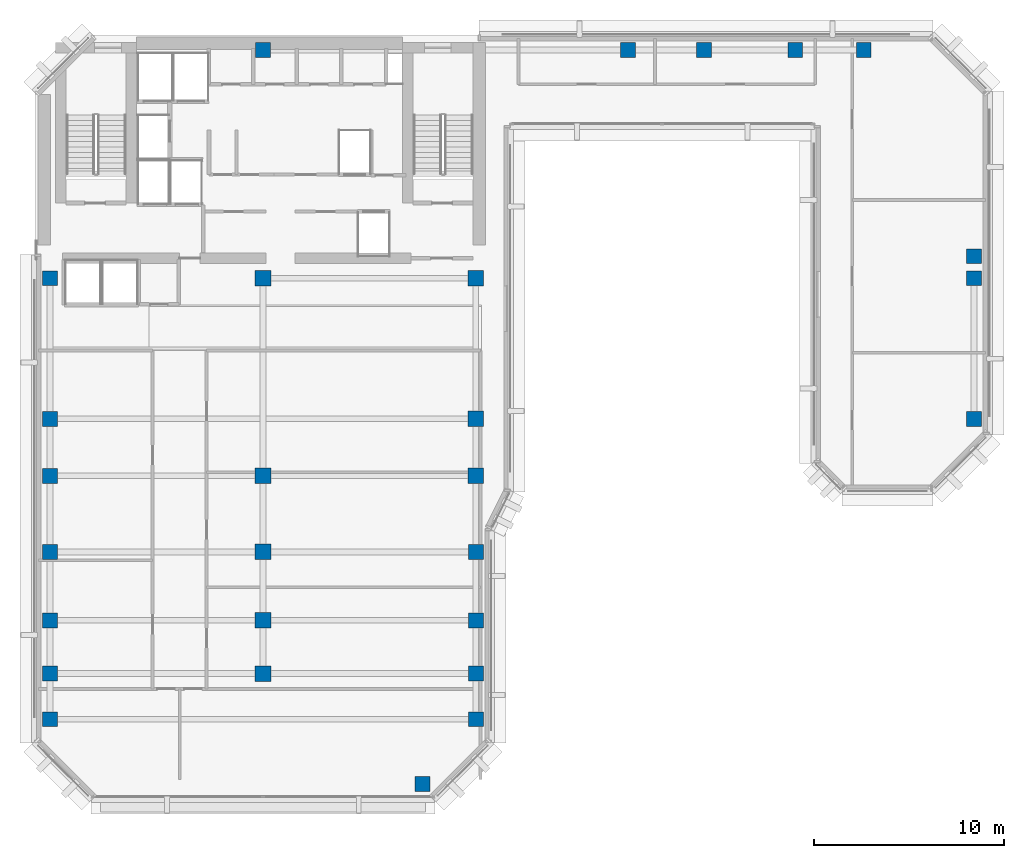
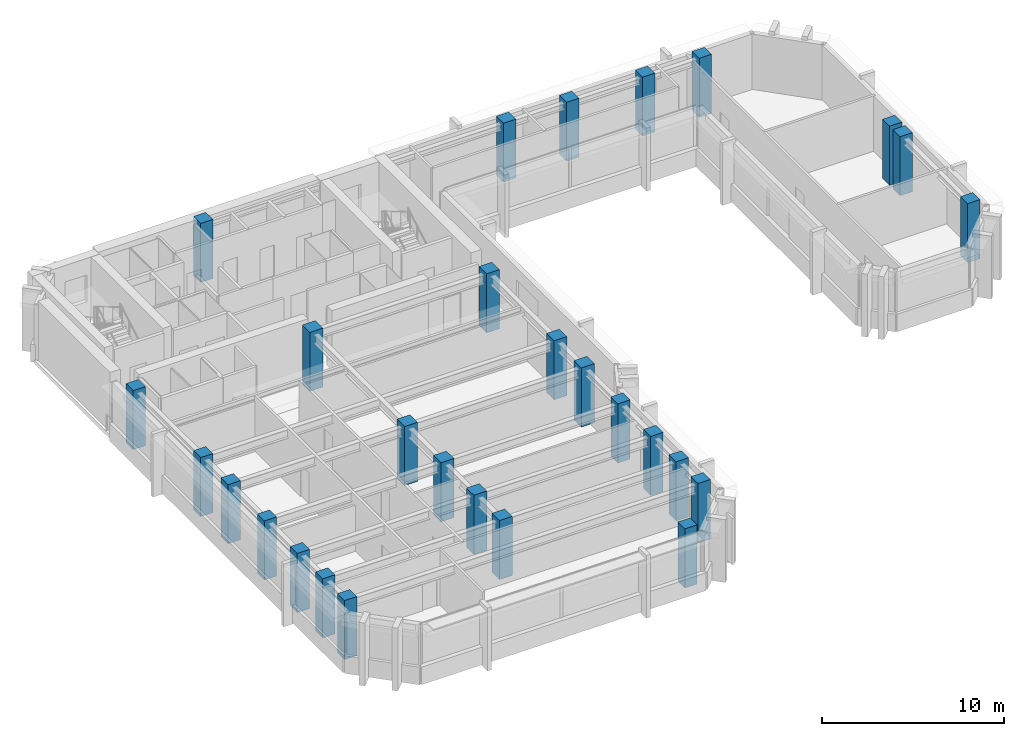
# One storey, part 1 of 11: 28 columns.
"""IFC4 building model written with IfcOpenShell, lengths in metres."""

from ifc_helpers import new_model, si_unit, direction, frame, origin, origin_2d, place, context, subcontext, project, spatial, rectangle, extrude, material, material_profile, profile_set, type_object, element, save


model = new_model("IFC4")

# Units and contexts
model_context = context("Model", 3, precision=1e-05, world=origin(), true_north=direction((0.0, 1.0)))
body_context = subcontext(model_context, "Body", "Model", "MODEL_VIEW")
ifc_project = project(units=[si_unit("LENGTHUNIT", "METRE"), si_unit("AREAUNIT", "SQUARE_METRE"), si_unit("VOLUMEUNIT", "CUBIC_METRE"), si_unit("PLANEANGLEUNIT", "RADIAN"), si_unit("MASSUNIT", "GRAM", prefix="KILO")], contexts=[model_context])

# Site, building, storey
site_placement = place(None, origin())
site = spatial("IfcSite", under=ifc_project, at=site_placement, CompositionType="ELEMENT")
building_placement = place(site_placement, origin())
building = spatial("IfcBuilding", under=site, at=building_placement, Name="Kefirva Bronze Tower", CompositionType="ELEMENT")
storey_placement = place(building_placement, frame((0.0, 0.0, 243.5400390625)))
storey = spatial("IfcBuildingStorey", under=building, at=storey_placement, Name="L59", CompositionType="ELEMENT", Elevation=243.5400390625)

# Columns
ifc_material = material(Name="Concrete C50/60", Category="concrete")
ifc_material_profile_1 = material_profile(ifc_material, rectangle(XDim=0.780029296875, YDim=0.780029296875, at=origin_2d()), Name="RC 780x780")
ifc_profile_set_1 = profile_set([ifc_material_profile_1], Name="Concrete C50/60")
column_type_1 = type_object("IfcColumnType", Name="RC Column 780x780 Ext", PredefinedType="COLUMN", material=ifc_profile_set_1)
for number, where, z_axis, x_axis, name in (
    (1, (0.800048828125, 10.0, 0.0), (0.0, 0.0, 1.0), (1.0, 0.0, 0.0), "L59 Column C008_100"),
    (2, (0.800048828125, 12.39990234375, 0.0), (0.0, 0.0, 1.0), (1.0, 0.0, 0.0), "L59 Column C008_124"),
    (3, (0.800048828125, 15.199951171875, 0.0), (0.0, 0.0, 1.0), (1.0, 0.0, 0.0), "L59 Column C008_152"),
    (4, (0.800048828125, 18.800048828125, 0.0), (0.0, 0.0, 1.0), (1.0, 0.0, 0.0), "L59 Column C008_188"),
    (5, (0.800048828125, 22.800048828125, 0.0), (0.0, 0.0, 1.0), (1.0, 0.0, 0.0), "L59 Column C008_228"),
    (6, (0.800048828125, 25.800048828125, 0.0), (0.0, 0.0, 1.0), (1.0, 0.0, 0.0), "L59 Column C008_258"),
    (7, (0.800048828125, 33.199951171875, 0.0), (0.0, 0.0, 1.0), (1.0, 0.0, 0.0), "L59 Column C008_332"),
    (8, (12.0, 45.199951171875, 0.0), (0.0, 0.0, 1.0), (1.0, 0.0, 0.0), "L59 Column C120_452"),
    (9, (20.39990234375, 6.60009765625, 0.0), (0.0, 0.0, 1.0), (1.0, 0.0, 0.0), "L59 Column C204_066"),
    (10, (23.199951171875, 10.0, 0.0), (0.0, 0.0, 1.0), (1.0, 0.0, 0.0), "L59 Column C232_100"),
    (11, (23.199951171875, 12.39990234375, 0.0), (0.0, 0.0, 1.0), (1.0, 0.0, 0.0), "L59 Column C232_124"),
    (12, (23.199951171875, 15.199951171875, 0.0), (0.0, 0.0, 1.0), (1.0, 0.0, 0.0), "L59 Column C232_152"),
    (13, (23.199951171875, 18.800048828125, 0.0), (0.0, 0.0, 1.0), (1.0, 0.0, 0.0), "L59 Column C232_188"),
    (14, (31.199951171875, 45.199951171875, 0.0), (0.0, 0.0, 1.0), (1.0, 0.0, 0.0), "L59 Column C312_452"),
    (15, (35.199951171875, 45.199951171875, 0.0), (0.0, 0.0, 1.0), (1.0, 0.0, 0.0), "L59 Column C352_452"),
    (16, (40.0, 45.199951171875, 0.0), (0.0, 0.0, 1.0), (1.0, 0.0, 0.0), "L59 Column C400_452"),
    (17, (43.60009765625, 45.199951171875, 0.0), (0.0, 0.0, 1.0), (1.0, 0.0, 0.0), "L59 Column C436_452"),
    (18, (49.39990234375, 25.800048828125, 0.0), (0.0, 0.0, 1.0), (1.0, 0.0, 0.0), "L59 Column C494_258"),
    (19, (49.39990234375, 33.199951171875, 0.0), (0.0, 0.0, 1.0), (1.0, 0.0, 0.0), "L59 Column C494_332"),
    (20, (49.39990234375, 34.35009765625, 0.0), (0.0, 0.0, 1.0), (1.0, 0.0, 0.0), "L59 Column C494_344"),
):
    element("IfcColumn", number, at=place(storey_placement, frame(where, z_axis=z_axis, x_axis=x_axis)), inside=storey, type_object=column_type_1, Name=name, PredefinedType="COLUMN", context=body_context, shape_type="SweptSolid", body=[
        extrude(rectangle(XDim=0.780029296875, YDim=0.780029296875, at=origin_2d()), origin(), (0.0, 0.0, 1.0), 3.9599609375),
    ])
ifc_material_profile_2 = material_profile(ifc_material, rectangle(XDim=0.820068359375, YDim=0.820068359375, at=origin_2d()), Name="RC 820x820")
ifc_profile_set_2 = profile_set([ifc_material_profile_2], Name="Concrete C50/60")
column_type_2 = type_object("IfcColumnType", Name="RC Column 820x820 Int", PredefinedType="COLUMN", material=ifc_profile_set_2)
for number, where, z_axis, x_axis, name in (
    (21, (12.0, 12.39990234375, 0.0), (0.0, 0.0, 1.0), (1.0, 0.0, 0.0), "L59 Column C120_124"),
    (22, (12.0, 15.199951171875, 0.0), (0.0, 0.0, 1.0), (1.0, 0.0, 0.0), "L59 Column C120_152"),
    (23, (12.0, 18.800048828125, 0.0), (0.0, 0.0, 1.0), (1.0, 0.0, 0.0), "L59 Column C120_188"),
    (24, (12.0, 22.800048828125, 0.0), (0.0, 0.0, 1.0), (1.0, 0.0, 0.0), "L59 Column C120_228"),
    (25, (12.0, 33.199951171875, 0.0), (0.0, 0.0, 1.0), (1.0, 0.0, 0.0), "L59 Column C120_332"),
    (26, (23.199951171875, 22.800048828125, 0.0), (0.0, 0.0, 1.0), (1.0, 0.0, 0.0), "L59 Column C232_228"),
    (27, (23.199951171875, 25.800048828125, 0.0), (0.0, 0.0, 1.0), (1.0, 0.0, 0.0), "L59 Column C232_258"),
    (28, (23.199951171875, 33.199951171875, 0.0), (0.0, 0.0, 1.0), (1.0, 0.0, 0.0), "L59 Column C232_332"),
):
    element("IfcColumn", number, at=place(storey_placement, frame(where, z_axis=z_axis, x_axis=x_axis)), inside=storey, type_object=column_type_2, Name=name, PredefinedType="COLUMN", context=body_context, shape_type="SweptSolid", body=[
        extrude(rectangle(XDim=0.820068359375, YDim=0.820068359375, at=origin_2d()), origin(), (0.0, 0.0, 1.0), 3.9599609375),
    ])

save(model, "model.ifc")
